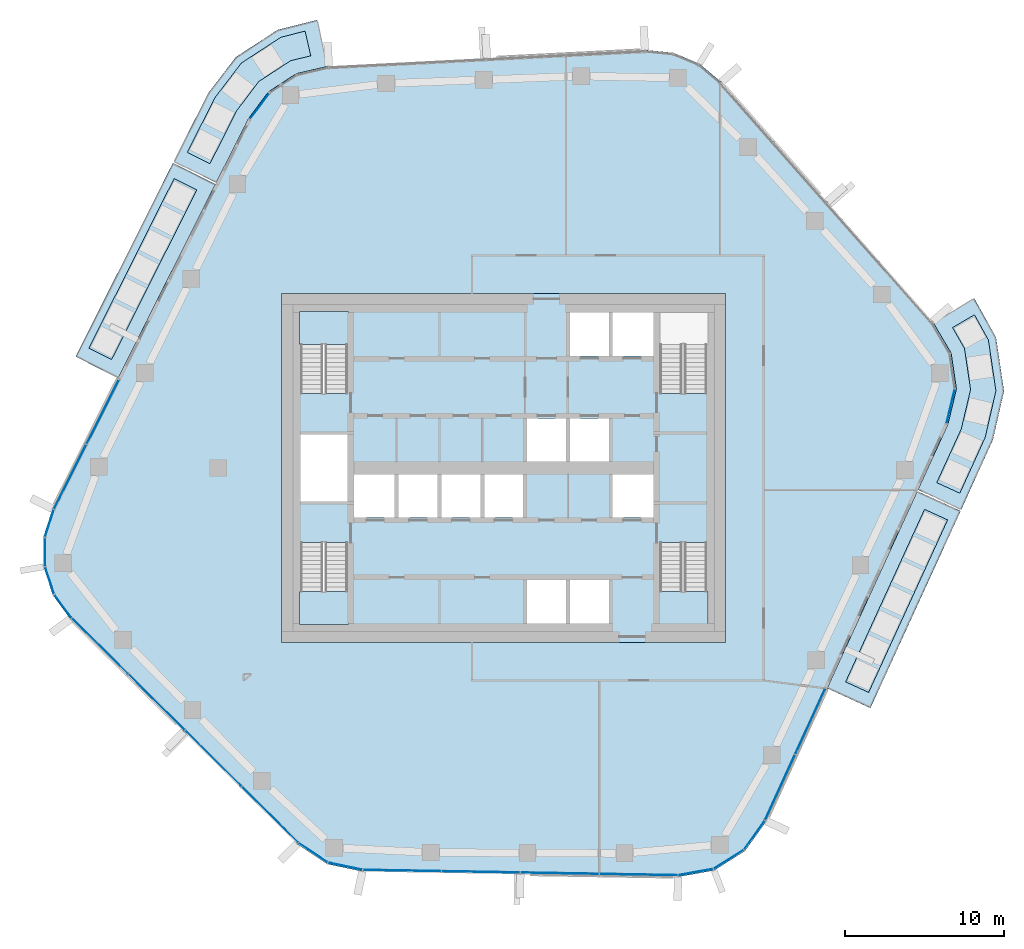
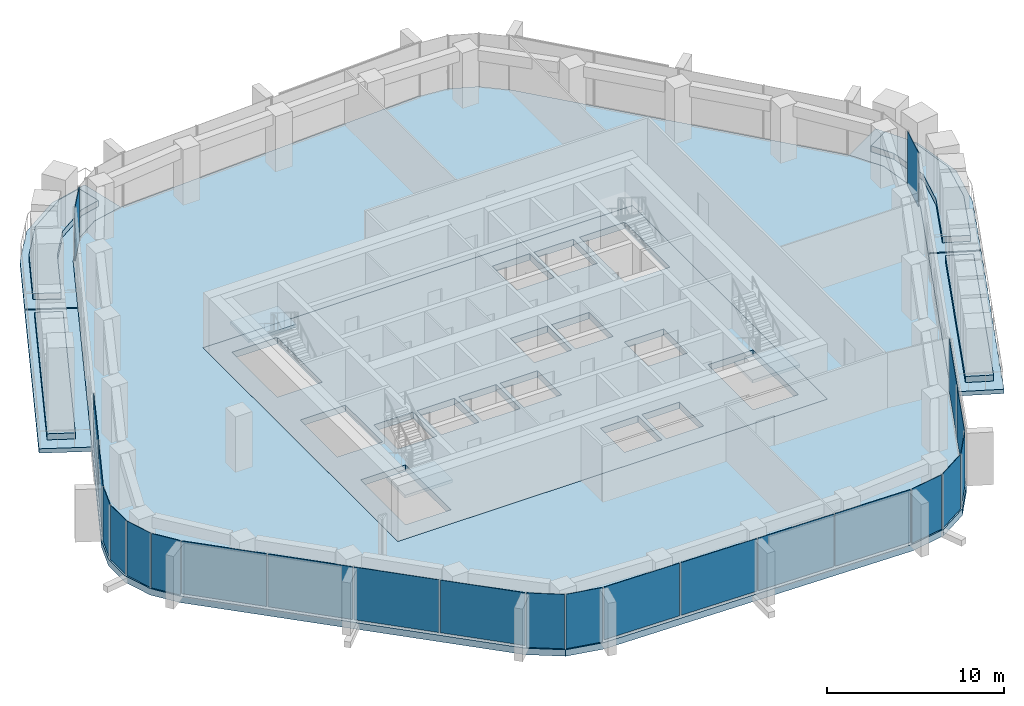
# One storey, part 10 of 22: 23 plates, 13 slabs, 12 elements without a shape of their own.
"""IFC4 building model written with IfcOpenShell, lengths in metres."""

from ifc_helpers import new_model, si_unit, direction, frame, origin, origin_2d, place, context, subcontext, project, spatial, polyline, rectangle, outline, extrude, material, layer, layer_set, type_object, element, aggregate, save


model = new_model("IFC4")

# Units and contexts
model_context = context("Model", 3, precision=1e-05, world=origin(), true_north=direction((0.0, 1.0)))
body_context = subcontext(model_context, "Body", "Model", "MODEL_VIEW")
ifc_project = project(units=[si_unit("LENGTHUNIT", "METRE"), si_unit("AREAUNIT", "SQUARE_METRE"), si_unit("VOLUMEUNIT", "CUBIC_METRE"), si_unit("PLANEANGLEUNIT", "RADIAN"), si_unit("MASSUNIT", "GRAM", prefix="KILO")], contexts=[model_context])

# Site, building, storey
site_placement = place(None, origin())
site = spatial("IfcSite", under=ifc_project, at=site_placement, CompositionType="ELEMENT")
building_placement = place(site_placement, origin())
building = spatial("IfcBuilding", under=site, at=building_placement, Name="Dongbaek Canopy Tower", CompositionType="ELEMENT")
storey_placement = place(building_placement, frame((0.0, 0.0, 237.0)))
storey = spatial("IfcBuildingStorey", under=building, at=storey_placement, Name="L49", CompositionType="ELEMENT", Elevation=237.0)

# Slabs
ifc_material_1 = material(Name="Concrete C40/50", Category="concrete")
ifc_layer_1 = layer(ifc_material_1, 0.300048828125)
ifc_layer_set_1 = layer_set([ifc_layer_1], Name="Balcony slab 300")
slab_type_1 = type_object("IfcSlabType", Name="Balcony slab 300", PredefinedType="FLOOR", material=ifc_layer_set_1)
slab_1_placement = place(storey_placement, frame((0.0, 0.0, -0.300048828125)))
element("IfcSlab", 1, at=slab_1_placement, inside=storey, type_object=slab_type_1, Name="Balcony L49 1", PredefinedType="FLOOR", context=body_context, shape_type="SweptSolid", body=[
    extrude(outline(polyline([(-18.175537109375, 17.891357421875), (-24.31298828125, 5.674560546875), (-26.99365234375, 7.021240234375), (-20.8564453125, 19.238037109375), (-18.175537109375, 17.891357421875)])), origin(), (0.0, 0.0, 1.0), 0.300048828125),
])
slab_2_placement = place(storey_placement, frame((0.0, 0.0, -0.300048828125)))
element("IfcSlab", 2, at=slab_2_placement, inside=storey, type_object=slab_type_1, Name="Balcony L49 4", PredefinedType="FLOOR", context=body_context, shape_type="SweptSolid", body=[
    extrude(outline(polyline([(-11.086669921875, 25.325439453125), (-13.08154296875, 24.864990234375), (-14.837890625, 23.71875), (-16.092529296875, 22.0380859375), (-18.130615234375, 17.980712890625), (-20.8115234375, 19.327392578125), (-18.644775390625, 23.61474609375), (-16.891357421875, 25.90576171875), (-14.2568359375, 27.625244140625), (-11.761474609375, 28.24853515625), (-11.086669921875, 25.325439453125)])), origin(), (0.0, 0.0, 1.0), 0.300048828125),
])
slab_3_placement = place(storey_placement, frame((0.0, 0.0, -0.300048828125)))
element("IfcSlab", 3, at=slab_3_placement, inside=storey, type_object=slab_type_1, Name="Balcony L49 2", PredefinedType="FLOOR", context=body_context, shape_type="SweptSolid", body=[
    extrude(outline(polyline([(20.395263671875, -13.88818359375), (26.081298828125, -1.462890625), (28.80908203125, -2.711181640625), (23.123291015625, -15.136474609375), (20.395263671875, -13.88818359375)])), origin(), (0.0, 0.0, 1.0), 0.300048828125),
])
slab_4_placement = place(storey_placement, frame((0.0, 0.0, -0.300048828125)))
element("IfcSlab", 4, at=slab_4_placement, inside=storey, type_object=slab_type_1, Name="Balcony L49 3", PredefinedType="FLOOR", context=body_context, shape_type="SweptSolid", body=[
    extrude(outline(polyline([(26.122802734375, -1.3720703125), (28.01123046875, 2.754638671875), (28.54931640625, 4.980712890625), (28.2138671875, 7.246337890625), (27.07958984375, 9.177978515625), (29.66650390625, 10.697021484375), (31.043212890625, 8.24365234375), (31.546142578125, 4.845458984375), (30.84619140625, 1.773681640625), (28.850830078125, -2.620361328125), (26.122802734375, -1.3720703125)])), origin(), (0.0, 0.0, 1.0), 0.300048828125),
])

# Curtain wall, plate
ifc_material_2 = material(Name="Aluminium 6063-T6 pale anodised", Category="aluminium")
ifc_layer_2 = layer(ifc_material_2, 0.199951171875)
ifc_layer_set_2 = layer_set([ifc_layer_2], Name="CW-1 unitised tower curtain wall")
curtain_wall_type = type_object("IfcCurtainWallType", Name="CW-1 unitised tower curtain wall", PredefinedType="NOTDEFINED", material=ifc_layer_set_2)
curtain_wall_1_placement = place(storey_placement, origin())
curtain_wall_1 = element("IfcCurtainWall", 5, at=curtain_wall_1_placement, inside=storey, type_object=curtain_wall_type, Name="CW-1 curtain wall K0.1", PredefinedType="NOTDEFINED")
ifc_material_3 = material(Name="Clear laminated glass", Category="glass")
ifc_layer_3 = layer(ifc_material_3, 0.028076171875)
ifc_layer_set_3 = layer_set([ifc_layer_3], Name="CW-1 glazed panel 28")
plate_type = type_object("IfcPlateType", Name="CW-1 glazed panel 28", PredefinedType="CURTAIN_PANEL", material=ifc_layer_set_3)
plate_1_placement = place(storey_placement, frame((28.181884765625, 3.886474609375, 0.0), z_axis=(0.0, 0.0, 1.0), x_axis=(0.23492321999, 0.972013930306, 0.0)))
plate_1 = element("IfcPlate", 6, at=plate_1_placement, type_object=plate_type, Name="CW-1 panel K0.1.1.1", PredefinedType="CURTAIN_PANEL", context=body_context, shape_type="SweptSolid", body=[
    extrude(rectangle(XDim=2.177001953125, YDim=0.028076171875, at=origin_2d()), origin(), (0.0, 0.0, 1.0), 3.75),
])
aggregate(curtain_wall_1, [plate_1])

curtain_wall_2_placement = place(storey_placement, origin())
curtain_wall_2 = element("IfcCurtainWall", 7, at=curtain_wall_2_placement, inside=storey, type_object=curtain_wall_type, Name="CW-1 curtain wall K2.1b", PredefinedType="NOTDEFINED")
plate_2_placement = place(storey_placement, frame((-15.3876953125, 22.81494140625, 0.0), z_axis=(0.0, 0.0, 1.0), x_axis=(-0.598174039914, -0.801366219635, 0.0)))
plate_2 = element("IfcPlate", 8, at=plate_2_placement, type_object=plate_type, Name="CW-1 panel K2.1b.2.1", PredefinedType="CURTAIN_PANEL", context=body_context, shape_type="SweptSolid", body=[
    extrude(rectangle(XDim=1.98681640625, YDim=0.028076171875, at=origin_2d()), origin(), (0.0, 0.0, 1.0), 3.75),
])
aggregate(curtain_wall_2, [plate_2])

# Curtain wall, plates
curtain_wall_3_placement = place(storey_placement, origin())
curtain_wall_3 = element("IfcCurtainWall", 9, at=curtain_wall_3_placement, inside=storey, type_object=curtain_wall_type, Name="CW-1 curtain wall F2.1", PredefinedType="NOTDEFINED")
plate_3_placement = place(storey_placement, frame((-25.276611328125, 3.533935546875, 0.1201171875), z_axis=(0.0, 0.0, 1.0), x_axis=(-0.448909169704, -0.893577393042, 0.0)))
plate_3 = element("IfcPlate", 10, at=plate_3_placement, type_object=plate_type, Name="CW-1 panel F2.1.1.1", PredefinedType="CURTAIN_PANEL", context=body_context, shape_type="SweptSolid", body=[
    extrude(rectangle(XDim=4.506591796875, YDim=0.028076171875, at=origin_2d()), origin(), (0.0, 0.0, 1.0), 3.6298828125),
])
plate_4_placement = place(storey_placement, frame((-27.33544921875, -0.564697265625, 0.1201171875), z_axis=(0.0, 0.0, 1.0), x_axis=(-0.448909169704, -0.893577393042, 0.0)))
plate_4 = element("IfcPlate", 11, at=plate_4_placement, type_object=plate_type, Name="CW-1 panel F2.1.2.1", PredefinedType="CURTAIN_PANEL", context=body_context, shape_type="SweptSolid", body=[
    extrude(rectangle(XDim=4.498779296875, YDim=0.028076171875, at=origin_2d()), origin(), (0.0, 0.0, 1.0), 3.6298828125),
])
aggregate(curtain_wall_3, [plate_3, plate_4])

curtain_wall_4_placement = place(storey_placement, origin())
curtain_wall_4 = element("IfcCurtainWall", 12, at=curtain_wall_4_placement, inside=storey, type_object=curtain_wall_type, Name="CW-1 curtain wall K3.1", PredefinedType="NOTDEFINED")
plate_5_placement = place(storey_placement, frame((-28.645263671875, -3.494140625, 0.0), z_axis=(0.0, 0.0, 1.0), x_axis=(-0.303758507222, -0.952749058929, 0.0)))
plate_5 = element("IfcPlate", 13, at=plate_5_placement, type_object=plate_type, Name="CW-1 panel K3.1.1.1", PredefinedType="CURTAIN_PANEL", context=body_context, shape_type="SweptSolid", body=[
    extrude(rectangle(XDim=1.767578125, YDim=0.028076171875, at=origin_2d()), origin(), (0.0, 0.0, 1.0), 3.75),
])
plate_6_placement = place(storey_placement, frame((-28.921630859375, -5.298095703125, 0.0), z_axis=(0.0, 0.0, 1.0), x_axis=(0.005183131791, -0.999986567482, 0.0)))
plate_6 = element("IfcPlate", 14, at=plate_6_placement, type_object=plate_type, Name="CW-1 panel K3.1.2.1", PredefinedType="CURTAIN_PANEL", context=body_context, shape_type="SweptSolid", body=[
    extrude(rectangle(XDim=1.759521484375, YDim=0.028076171875, at=origin_2d()), origin(), (0.0, 0.0, 1.0), 3.75),
])
plate_7_placement = place(storey_placement, frame((-28.6279296875, -7.094970703125, 0.0), z_axis=(0.0, 0.0, 1.0), x_axis=(0.313618501572, -0.949549069544, 0.0)))
plate_7 = element("IfcPlate", 15, at=plate_7_placement, type_object=plate_type, Name="CW-1 panel K3.1.3.1", PredefinedType="CURTAIN_PANEL", context=body_context, shape_type="SweptSolid", body=[
    extrude(rectangle(XDim=1.759521484375, YDim=0.028076171875, at=origin_2d()), origin(), (0.0, 0.0, 1.0), 3.75),
])
plate_8_placement = place(storey_placement, frame((-27.791259765625, -8.716796875, 0.0), z_axis=(0.0, 0.0, 1.0), x_axis=(0.591420770683, -0.806363114239, 0.0)))
plate_8 = element("IfcPlate", 16, at=plate_8_placement, type_object=plate_type, Name="CW-1 panel K3.1.4.1", PredefinedType="CURTAIN_PANEL", context=body_context, shape_type="SweptSolid", body=[
    extrude(rectangle(XDim=1.767578125, YDim=0.028076171875, at=origin_2d()), origin(), (0.0, 0.0, 1.0), 3.75),
])
aggregate(curtain_wall_4, [plate_5, plate_6, plate_7, plate_8])

curtain_wall_5_placement = place(storey_placement, origin())
curtain_wall_5 = element("IfcCurtainWall", 17, at=curtain_wall_5_placement, inside=storey, type_object=curtain_wall_type, Name="CW-1 curtain wall F3.1", PredefinedType="NOTDEFINED")
plate_9_placement = place(storey_placement, frame((-25.459228515625, -11.232421875, 0.1201171875), z_axis=(0.0, 0.0, 1.0), x_axis=(0.710162348211, -0.704037952942, 0.0)))
plate_9 = element("IfcPlate", 18, at=plate_9_placement, type_object=plate_type, Name="CW-1 panel F3.1.1.1", PredefinedType="CURTAIN_PANEL", context=body_context, shape_type="SweptSolid", body=[
    extrude(rectangle(XDim=4.941650390625, YDim=0.028076171875, at=origin_2d()), origin(), (0.0, 0.0, 1.0), 3.6298828125),
])
plate_10_placement = place(storey_placement, frame((-21.887451171875, -14.7734375, 0.1201171875), z_axis=(0.0, 0.0, 1.0), x_axis=(0.710162348211, -0.704037952942, 0.0)))
plate_10 = element("IfcPlate", 19, at=plate_10_placement, type_object=plate_type, Name="CW-1 panel F3.1.2.1", PredefinedType="CURTAIN_PANEL", context=body_context, shape_type="SweptSolid", body=[
    extrude(rectangle(XDim=4.949462890625, YDim=0.028076171875, at=origin_2d()), origin(), (0.0, 0.0, 1.0), 3.6298828125),
])
plate_11_placement = place(storey_placement, frame((-18.312744140625, -18.317138671875, 0.1201171875), z_axis=(0.0, 0.0, 1.0), x_axis=(0.710162348211, -0.704037952942, 0.0)))
plate_11 = element("IfcPlate", 20, at=plate_11_placement, type_object=plate_type, Name="CW-1 panel F3.1.3.1", PredefinedType="CURTAIN_PANEL", context=body_context, shape_type="SweptSolid", body=[
    extrude(rectangle(XDim=4.949462890625, YDim=0.028076171875, at=origin_2d()), origin(), (0.0, 0.0, 1.0), 3.6298828125),
])
plate_12_placement = place(storey_placement, frame((-14.74169921875, -21.857666015625, 0.1201171875), z_axis=(0.0, 0.0, 1.0), x_axis=(0.710162348211, -0.704037952942, 0.0)))
plate_12 = element("IfcPlate", 21, at=plate_12_placement, type_object=plate_type, Name="CW-1 panel F3.1.4.1", PredefinedType="CURTAIN_PANEL", context=body_context, shape_type="SweptSolid", body=[
    extrude(rectangle(XDim=4.93994140625, YDim=0.028076171875, at=origin_2d()), origin(), (0.0, 0.0, 1.0), 3.6298828125),
])
aggregate(curtain_wall_5, [plate_9, plate_10, plate_11, plate_12])

curtain_wall_6_placement = place(storey_placement, origin())
curtain_wall_6 = element("IfcCurtainWall", 22, at=curtain_wall_6_placement, inside=storey, type_object=curtain_wall_type, Name="CW-1 curtain wall K4.1", PredefinedType="NOTDEFINED")
plate_13_placement = place(storey_placement, frame((-12.023193359375, -24.251953125, 0.0), z_axis=(0.0, 0.0, 1.0), x_axis=(0.830913331139, -0.556401865683, 0.0)))
plate_13 = element("IfcPlate", 23, at=plate_13_placement, type_object=plate_type, Name="CW-1 panel K4.1.1.1", PredefinedType="CURTAIN_PANEL", context=body_context, shape_type="SweptSolid", body=[
    extrude(rectangle(XDim=2.165283203125, YDim=0.028076171875, at=origin_2d()), origin(), (0.0, 0.0, 1.0), 3.75),
])
plate_14_placement = place(storey_placement, frame((-9.98828125, -25.110107421875, 0.0), z_axis=(0.0, 0.0, 1.0), x_axis=(0.978443325131, -0.206515518802, 0.0)))
plate_14 = element("IfcPlate", 24, at=plate_14_placement, type_object=plate_type, Name="CW-1 panel K4.1.2.1", PredefinedType="CURTAIN_PANEL", context=body_context, shape_type="SweptSolid", body=[
    extrude(rectangle(XDim=2.165283203125, YDim=0.028076171875, at=origin_2d()), origin(), (0.0, 0.0, 1.0), 3.75),
])
aggregate(curtain_wall_6, [plate_13, plate_14])

curtain_wall_7_placement = place(storey_placement, origin())
curtain_wall_7 = element("IfcCurtainWall", 25, at=curtain_wall_7_placement, inside=storey, type_object=curtain_wall_type, Name="CW-1 curtain wall F4.1", PredefinedType="NOTDEFINED")
plate_15_placement = place(storey_placement, frame((-6.4052734375, -25.384521484375, 0.1201171875), z_axis=(0.0, 0.0, 1.0), x_axis=(0.999855606006, -0.016993149743, 0.0)))
plate_15 = element("IfcPlate", 26, at=plate_15_placement, type_object=plate_type, Name="CW-1 panel F4.1.1.1", PredefinedType="CURTAIN_PANEL", context=body_context, shape_type="SweptSolid", body=[
    extrude(rectangle(XDim=4.88134765625, YDim=0.028076171875, at=origin_2d()), origin(), (0.0, 0.0, 1.0), 3.6298828125),
])
plate_16_placement = place(storey_placement, frame((-1.435791015625, -25.468994140625, 0.1201171875), z_axis=(0.0, 0.0, 1.0), x_axis=(0.999855606006, -0.016993149743, 0.0)))
plate_16 = element("IfcPlate", 27, at=plate_16_placement, type_object=plate_type, Name="CW-1 panel F4.1.2.1", PredefinedType="CURTAIN_PANEL", context=body_context, shape_type="SweptSolid", body=[
    extrude(rectangle(XDim=4.89111328125, YDim=0.028076171875, at=origin_2d()), origin(), (0.0, 0.0, 1.0), 3.6298828125),
])
plate_17_placement = place(storey_placement, frame((3.538330078125, -25.553466796875, 0.1201171875), z_axis=(0.0, 0.0, 1.0), x_axis=(0.999855606006, -0.016993149743, 0.0)))
plate_17 = element("IfcPlate", 28, at=plate_17_placement, type_object=plate_type, Name="CW-1 panel F4.1.3.1", PredefinedType="CURTAIN_PANEL", context=body_context, shape_type="SweptSolid", body=[
    extrude(rectangle(XDim=4.89111328125, YDim=0.028076171875, at=origin_2d()), origin(), (0.0, 0.0, 1.0), 3.6298828125),
])
plate_18_placement = place(storey_placement, frame((8.5078125, -25.637939453125, 0.1201171875), z_axis=(0.0, 0.0, 1.0), x_axis=(0.999855606006, -0.016993149743, 0.0)))
plate_18 = element("IfcPlate", 29, at=plate_18_placement, type_object=plate_type, Name="CW-1 panel F4.1.4.1", PredefinedType="CURTAIN_PANEL", context=body_context, shape_type="SweptSolid", body=[
    extrude(rectangle(XDim=4.88134765625, YDim=0.028076171875, at=origin_2d()), origin(), (0.0, 0.0, 1.0), 3.6298828125),
])
aggregate(curtain_wall_7, [plate_15, plate_16, plate_17, plate_18])

curtain_wall_8_placement = place(storey_placement, origin())
curtain_wall_8 = element("IfcCurtainWall", 30, at=curtain_wall_8_placement, inside=storey, type_object=curtain_wall_type, Name="CW-1 curtain wall K5.1", PredefinedType="NOTDEFINED")
plate_19_placement = place(storey_placement, frame((12.109375, -25.48095703125, 0.0), z_axis=(0.0, 0.0, 1.0), x_axis=(0.984532656924, 0.17520116281, 0.0)))
plate_19 = element("IfcPlate", 31, at=plate_19_placement, type_object=plate_type, Name="CW-1 panel K5.1.1.1", PredefinedType="CURTAIN_PANEL", context=body_context, shape_type="SweptSolid", body=[
    extrude(rectangle(XDim=2.189697265625, YDim=0.028076171875, at=origin_2d()), origin(), (0.0, 0.0, 1.0), 3.75),
])
plate_20_placement = place(storey_placement, frame((14.186279296875, -24.67822265625, 0.0), z_axis=(0.0, 0.0, 1.0), x_axis=(0.846021440639, 0.533148874123, 0.0)))
plate_20 = element("IfcPlate", 32, at=plate_20_placement, type_object=plate_type, Name="CW-1 panel K5.1.2.1", PredefinedType="CURTAIN_PANEL", context=body_context, shape_type="SweptSolid", body=[
    extrude(rectangle(XDim=2.1796875, YDim=0.028076171875, at=origin_2d()), origin(), (0.0, 0.0, 1.0), 3.75),
])
plate_21_placement = place(storey_placement, frame((15.806396484375, -23.151123046875, 0.0), z_axis=(0.0, 0.0, 1.0), x_axis=(0.582881180681, 0.812557400562, 0.0)))
plate_21 = element("IfcPlate", 33, at=plate_21_placement, type_object=plate_type, Name="CW-1 panel K5.1.3.1", PredefinedType="CURTAIN_PANEL", context=body_context, shape_type="SweptSolid", body=[
    extrude(rectangle(XDim=2.189697265625, YDim=0.028076171875, at=origin_2d()), origin(), (0.0, 0.0, 1.0), 3.75),
])
aggregate(curtain_wall_8, [plate_19, plate_20, plate_21])

curtain_wall_9_placement = place(storey_placement, origin())
curtain_wall_9 = element("IfcCurtainWall", 34, at=curtain_wall_9_placement, inside=storey, type_object=curtain_wall_type, Name="CW-1 curtain wall F5.1", PredefinedType="NOTDEFINED")
plate_22_placement = place(storey_placement, frame((17.421630859375, -20.145751953125, 0.1201171875), z_axis=(0.0, 0.0, 1.0), x_axis=(0.416112546196, 0.909313119282, 0.0)))
plate_22 = element("IfcPlate", 35, at=plate_22_placement, type_object=plate_type, Name="CW-1 panel F5.1.1.1", PredefinedType="CURTAIN_PANEL", context=body_context, shape_type="SweptSolid", body=[
    extrude(rectangle(XDim=4.494384765625, YDim=0.028076171875, at=origin_2d()), origin(), (0.0, 0.0, 1.0), 3.6298828125),
])
plate_23_placement = place(storey_placement, frame((19.328857421875, -15.97802734375, 0.1201171875), z_axis=(0.0, 0.0, 1.0), x_axis=(0.416112546196, 0.909313119282, 0.0)))
plate_23 = element("IfcPlate", 36, at=plate_23_placement, type_object=plate_type, Name="CW-1 panel F5.1.2.1", PredefinedType="CURTAIN_PANEL", context=body_context, shape_type="SweptSolid", body=[
    extrude(rectangle(XDim=4.504150390625, YDim=0.028076171875, at=origin_2d()), origin(), (0.0, 0.0, 1.0), 3.6298828125),
])
aggregate(curtain_wall_9, [plate_22, plate_23])

# Slab
ifc_material_4 = material(Name="Concrete C40/50", Category="concrete")
ifc_layer_4 = layer(ifc_material_4, 0.449951171875)
ifc_layer_set_4 = layer_set([ifc_layer_4], Name="Core floor slab 450 Concrete C40/50")
slab_type_2 = type_object("IfcSlabType", Name="Core floor slab 450 Concrete C40/50", PredefinedType="FLOOR", material=ifc_layer_set_4)
slab_5_placement = place(storey_placement, frame((0.0, 0.0, -0.449951171875)))
element("IfcSlab", 37, at=slab_5_placement, inside=storey, type_object=slab_type_2, Name="Core floor slab L49", PredefinedType="FLOOR", context=body_context, shape_type="SweptSolid", body=[
    extrude(outline(polyline([(14.0, -11.0), (14.0, 11.0), (-14.0, 11.0), (-14.0, -11.0), (14.0, -11.0)]), holes=[polyline([(-12.800048828125, 2.10009765625), (-9.85009765625, 2.10009765625), (-9.85009765625, -2.10009765625), (-12.800048828125, -2.10009765625), (-12.800048828125, 2.10009765625)]), polyline([(6.625, 9.800048828125), (6.625, 7.074951171875), (4.175048828125, 7.074951171875), (4.175048828125, 9.800048828125), (6.625, 9.800048828125)]), polyline([(9.449951171875, 7.074951171875), (6.875, 7.074951171875), (6.875, 9.800048828125), (9.449951171875, 9.800048828125), (9.449951171875, 7.074951171875)]), polyline([(3.925048828125, 3.125), (3.925048828125, 0.39990234375), (1.47509765625, 0.39990234375), (1.47509765625, 3.125), (3.925048828125, 3.125)]), polyline([(4.175048828125, 3.125), (6.625, 3.125), (6.625, 0.39990234375), (4.175048828125, 0.39990234375), (4.175048828125, 3.125)]), polyline([(-9.449951171875, -0.39990234375), (-6.875, -0.39990234375), (-6.875, -3.125), (-9.449951171875, -3.125), (-9.449951171875, -0.39990234375)]), polyline([(-6.625, -0.39990234375), (-4.175048828125, -0.39990234375), (-4.175048828125, -3.125), (-6.625, -3.125), (-6.625, -0.39990234375)]), polyline([(-3.925048828125, -0.39990234375), (-1.47509765625, -0.39990234375), (-1.47509765625, -3.125), (-3.925048828125, -3.125), (-3.925048828125, -0.39990234375)]), polyline([(-1.22509765625, -0.39990234375), (1.22509765625, -0.39990234375), (1.22509765625, -3.125), (-1.22509765625, -3.125), (-1.22509765625, -0.39990234375)]), polyline([(9.449951171875, -3.125), (6.875, -3.125), (6.875, -0.39990234375), (9.449951171875, -0.39990234375), (9.449951171875, -3.125)]), polyline([(1.47509765625, -9.800048828125), (1.47509765625, -7.074951171875), (3.925048828125, -7.074951171875), (3.925048828125, -9.800048828125), (1.47509765625, -9.800048828125)]), polyline([(4.175048828125, -9.800048828125), (4.175048828125, -7.074951171875), (6.625, -7.074951171875), (6.625, -9.800048828125), (4.175048828125, -9.800048828125)]), polyline([(12.800048828125, 4.70068359375), (12.800048828125, 9.800048828125), (9.85009765625, 9.800048828125), (9.85009765625, 4.70068359375), (12.800048828125, 4.70068359375)]), polyline([(-9.85009765625, 4.70068359375), (-9.85009765625, 9.800048828125), (-12.800048828125, 9.800048828125), (-12.800048828125, 4.70068359375), (-9.85009765625, 4.70068359375)]), polyline([(9.85009765625, -4.70068359375), (9.85009765625, -9.800048828125), (12.800048828125, -9.800048828125), (12.800048828125, -4.70068359375), (9.85009765625, -4.70068359375)]), polyline([(-12.800048828125, -4.70068359375), (-12.800048828125, -9.800048828125), (-9.85009765625, -9.800048828125), (-9.85009765625, -4.70068359375), (-12.800048828125, -4.70068359375)])]), origin(), (0.0, 0.0, 1.0), 0.449951171875),
])

# Stair, slab
ifc_material_5 = material(Name="Concrete C40/50", Category="concrete")
stair_type = type_object("IfcStairType", Name="Core exit stair", PredefinedType="HALF_TURN_STAIR", material=ifc_material_5)
stair_1_placement = place(storey_placement, origin())
stair_1 = element("IfcStair", 38, at=stair_1_placement, inside=storey, type_object=stair_type, Name="L49 exit stair C", PredefinedType="HALF_TURN_STAIR")
ifc_material_6 = material(Name="Concrete C40/50", Category="concrete")
ifc_layer_5 = layer(ifc_material_6, 0.199951171875)
ifc_layer_set_5 = layer_set([ifc_layer_5], Name="Core stair landing 200")
slab_type_3 = type_object("IfcSlabType", Name="Core stair landing 200", PredefinedType="LANDING", material=ifc_layer_set_5)
slab_6_placement = place(storey_placement, frame((0.0, 0.0, 1.89990234375)))
slab_6 = element("IfcSlab", 39, at=slab_6_placement, type_object=slab_type_3, Name="ST-C landing 1", PredefinedType="LANDING", context=body_context, shape_type="SweptSolid", body=[
    extrude(outline(polyline([(-9.77490234375, 7.780029296875), (-9.77490234375, 9.875), (-12.875, 9.875), (-12.875, 7.780029296875), (-9.77490234375, 7.780029296875)])), origin(), (0.0, 0.0, 1.0), 0.2001953125),
])
aggregate(stair_1, [slab_6])

stair_2_placement = place(storey_placement, origin())
stair_2 = element("IfcStair", 40, at=stair_2_placement, inside=storey, type_object=stair_type, Name="L49 exit stair B", PredefinedType="HALF_TURN_STAIR")
slab_7_placement = place(storey_placement, frame((0.0, 0.0, 1.89990234375)))
slab_7 = element("IfcSlab", 41, at=slab_7_placement, type_object=slab_type_3, Name="ST-B landing 1", PredefinedType="LANDING", context=body_context, shape_type="SweptSolid", body=[
    extrude(outline(polyline([(9.77490234375, -7.780029296875), (9.77490234375, -9.875), (12.875, -9.875), (12.875, -7.780029296875), (9.77490234375, -7.780029296875)])), origin(), (0.0, 0.0, 1.0), 0.2001953125),
])
aggregate(stair_2, [slab_7])

stair_3_placement = place(storey_placement, origin())
stair_3 = element("IfcStair", 42, at=stair_3_placement, inside=storey, type_object=stair_type, Name="L49 exit stair D", PredefinedType="HALF_TURN_STAIR")
slab_8_placement = place(storey_placement, frame((0.0, 0.0, 1.89990234375)))
slab_8 = element("IfcSlab", 43, at=slab_8_placement, type_object=slab_type_3, Name="ST-D landing 1", PredefinedType="LANDING", context=body_context, shape_type="SweptSolid", body=[
    extrude(outline(polyline([(-12.875, -7.780029296875), (-12.875, -9.875), (-9.77490234375, -9.875), (-9.77490234375, -7.780029296875), (-12.875, -7.780029296875)])), origin(), (0.0, 0.0, 1.0), 0.2001953125),
])
aggregate(stair_3, [slab_8])

# Slabs
ifc_material_7 = material(Name="Concrete C40", Category="concrete")
ifc_layer_6 = layer(ifc_material_7, 0.449951171875)
ifc_layer_set_6 = layer_set([ifc_layer_6], Name="RC FLAT PLATE 450 Concrete C40")
slab_type_4 = type_object("IfcSlabType", Name="RC FLAT PLATE 450 Concrete C40", PredefinedType="FLOOR", material=ifc_layer_set_6)
slab_9_placement = place(storey_placement, frame((0.0, 0.0, -0.449951171875)))
element("IfcSlab", 44, at=slab_9_placement, inside=storey, type_object=slab_type_4, Name="SLAB:L49", PredefinedType="FLOOR", context=body_context, shape_type="SweptSolid", body=[
    extrude(outline(polyline([(16.555908203125, -22.27783203125), (15.213623046875, -24.14892578125), (13.265380859375, -25.376708984375), (10.998291015625, -25.7802734375), (-8.89892578125, -25.442138671875), (-11.128173828125, -24.9716796875), (-13.021240234375, -23.703857421875), (-27.31982421875, -9.52880859375), (-28.4287109375, -8.0166015625), (-29.016845703125, -6.236083984375), (-29.026611328125, -4.36083984375), (-28.45703125, -2.57421875), (-16.09228515625, 22.0380859375), (-14.837890625, 23.71875), (-13.08154296875, 24.864990234375), (-11.0380859375, 25.336669921875), (8.910888671875, 26.35888671875), (10.693359375, 26.1826171875), (12.344482421875, 25.48779296875), (13.716796875, 24.33642578125), (27.05419921875, 9.22119140625), (28.214111328125, 7.246337890625), (28.54931640625, 4.980712890625), (28.01123046875, 2.754638671875), (16.555908203125, -22.27783203125)]), holes=[polyline([(14.0, 11.0), (-14.0, 11.0), (-14.0, -11.0), (14.0, -11.0), (14.0, 11.0)])]), origin(), (0.0, 0.0, 1.0), 0.449951171875),
])
ifc_material_8 = material(Name="Reinforced concrete C40/50 planter box with soil", Category="concrete")
ifc_layer_7 = layer(ifc_material_8, 0.419921875)
ifc_layer_set_7 = layer_set([ifc_layer_7], Name="Terrace planter box 1600 x 420")
slab_type_5 = type_object("IfcSlabType", Name="Terrace planter box 1600 x 420", PredefinedType="USERDEFINED", material=ifc_layer_set_7)
slab_10_placement = place(storey_placement, origin())
element("IfcSlab", 45, at=slab_10_placement, inside=storey, type_object=slab_type_5, Name="Balcony planter L49 1", ObjectType="PLANTER", PredefinedType="USERDEFINED", context=body_context, shape_type="SweptSolid", body=[
    extrude(outline(polyline([(-19.3525390625, 17.53125), (-24.726806640625, 6.83349609375), (-26.156494140625, 7.5517578125), (-20.7822265625, 18.24951171875), (-19.3525390625, 17.53125)])), origin(), (0.0, 0.0, 1.0), 0.419921875),
])
slab_11_placement = place(storey_placement, origin())
element("IfcSlab", 46, at=slab_11_placement, inside=storey, type_object=slab_type_5, Name="Balcony planter L49 4", ObjectType="PLANTER", PredefinedType="USERDEFINED", context=body_context, shape_type="SweptSolid", body=[
    extrude(outline(polyline([(-12.163818359375, 25.990234375), (-13.43017578125, 25.683837890625), (-15.447021484375, 24.367431640625), (-16.849609375, 22.505859375), (-18.52197265625, 19.184326171875), (-19.95166015625, 19.902587890625), (-18.210693359375, 23.3466796875), (-16.542236328125, 25.533935546875), (-14.05712890625, 27.156005859375), (-12.523681640625, 27.54931640625), (-12.163818359375, 25.990234375)])), origin(), (0.0, 0.0, 1.0), 0.419921875),
])
slab_12_placement = place(storey_placement, origin())
element("IfcSlab", 47, at=slab_12_placement, inside=storey, type_object=slab_type_5, Name="Balcony planter L49 2", ObjectType="PLANTER", PredefinedType="USERDEFINED", context=body_context, shape_type="SweptSolid", body=[
    extrude(outline(polyline([(21.55810546875, -13.485595703125), (26.536865234375, -2.606201171875), (27.99169921875, -3.27197265625), (23.01318359375, -14.1513671875), (21.55810546875, -13.485595703125)])), origin(), (0.0, 0.0, 1.0), 0.419921875),
])
slab_13_placement = place(storey_placement, origin())
element("IfcSlab", 48, at=slab_13_placement, inside=storey, type_object=slab_type_5, Name="Balcony planter L49 3", ObjectType="PLANTER", PredefinedType="USERDEFINED", context=body_context, shape_type="SweptSolid", body=[
    extrude(outline(polyline([(27.306640625, -0.923828125), (28.852294921875, 2.463623046875), (29.438232421875, 4.940673828125), (29.05322265625, 7.542236328125), (28.302734375, 8.8525390625), (29.6826171875, 9.662841796875), (30.562255859375, 8.07421875), (31.03662109375, 4.868408203125), (30.3642578125, 1.9404296875), (28.761474609375, -1.589599609375), (27.306640625, -0.923828125)])), origin(), (0.0, 0.0, 1.0), 0.419921875),
])

save(model, "model.ifc")
